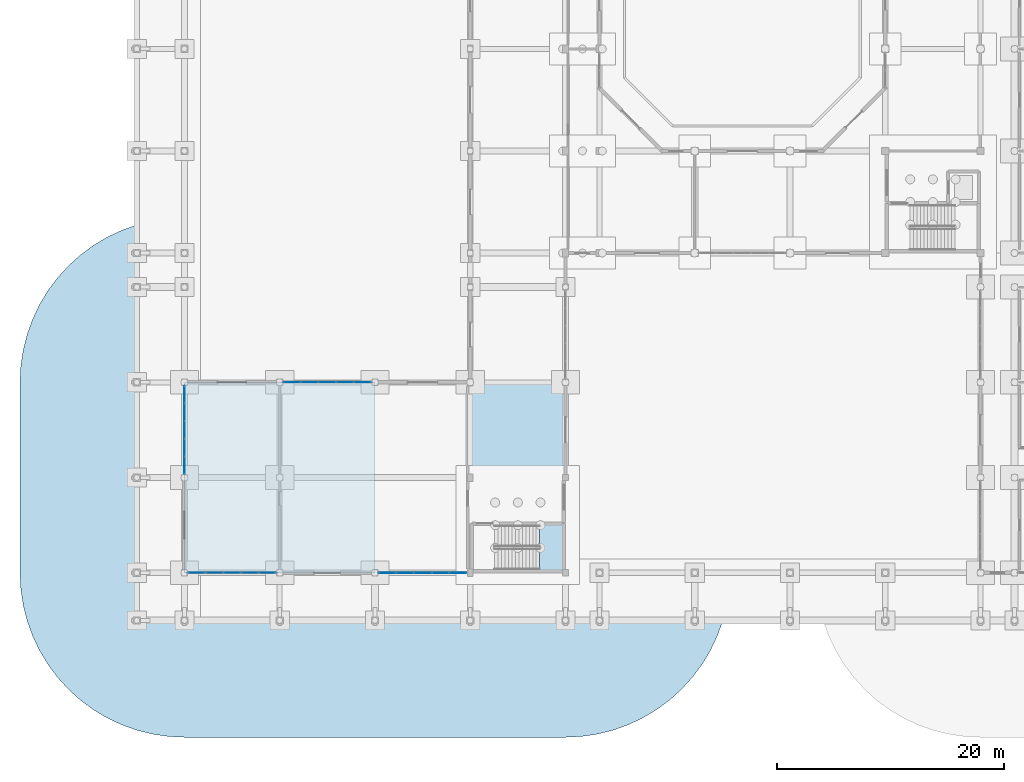
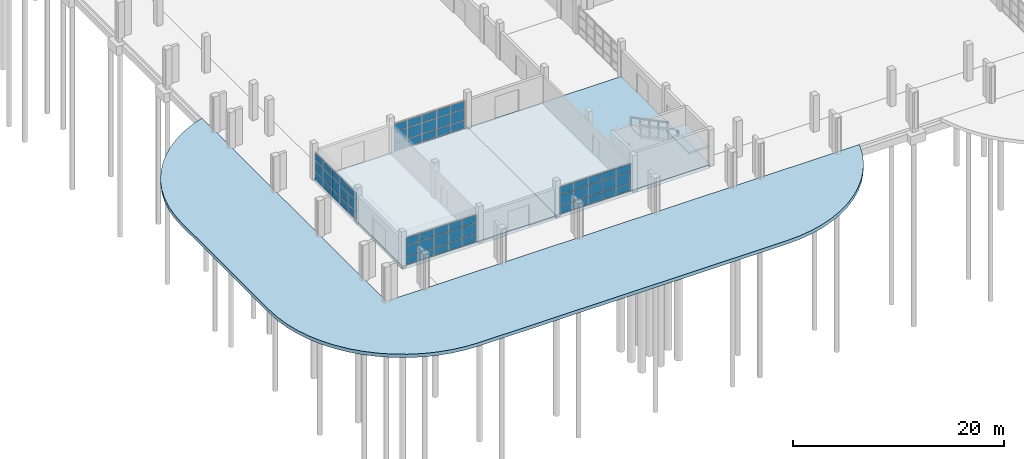
# One storey, part 41 of 88: 60 plates, 4 slabs, 5 elements without a shape of their own.
"""IFC4 building model written with IfcOpenShell, lengths in metres."""

from ifc_helpers import new_model, si_unit, direction, frame, origin, origin_2d, place, context, subcontext, project, spatial, polyline, rectangle, outline, extrude, material, layer, layer_set, type_object, element, aggregate, save


model = new_model("IFC4")

# Units and contexts
model_context = context("Model", 3, precision=1e-05, world=origin(), true_north=direction((0.0, 1.0)))
body_context = subcontext(model_context, "Body", "Model", "MODEL_VIEW")
ifc_project = project(units=[si_unit("LENGTHUNIT", "METRE"), si_unit("AREAUNIT", "SQUARE_METRE"), si_unit("VOLUMEUNIT", "CUBIC_METRE"), si_unit("PLANEANGLEUNIT", "RADIAN"), si_unit("MASSUNIT", "GRAM", prefix="KILO")], contexts=[model_context])

# Site, building, storey
site_placement = place(None, origin())
site = spatial("IfcSite", under=ifc_project, at=site_placement, CompositionType="ELEMENT")
building_placement = place(site_placement, origin())
building = spatial("IfcBuilding", under=site, at=building_placement, Name="Vanh Quang Courtyard School", CompositionType="ELEMENT")
storey_placement = place(building_placement, origin())
storey = spatial("IfcBuildingStorey", under=building, at=storey_placement, Name="L00", CompositionType="ELEMENT", Elevation=0.0)

# Curtain wall, plates
ifc_material_1 = material(Name="Thermally broken aluminium unitised curtain wall", Category="aluminium")
curtain_wall_type_1 = type_object("IfcCurtainWallType", Name="CW-SYS-01", PredefinedType="NOTDEFINED", material=ifc_material_1)
curtain_wall_1_placement = place(storey_placement, origin())
curtain_wall_1 = element("IfcCurtainWall", 1, at=curtain_wall_1_placement, inside=storey, type_object=curtain_wall_type_1, Name="Curtain Wall CW-01 (L00)", PredefinedType="NOTDEFINED")
ifc_material_2 = material(Name="Low-E laminated double glazing", Category="glass")
ifc_layer_1 = layer(ifc_material_2, 0.028076171875)
ifc_layer_set_1 = layer_set([ifc_layer_1], Name="Low-E laminated double glazing")
plate_type_1 = type_object("IfcPlateType", Name="CW-PNL-28", PredefinedType="CURTAIN_PANEL", material=ifc_layer_set_1)
plate_1_placement = place(storey_placement, frame((11.513671875, 4.199951171875, 0.080078125), z_axis=(0.0, 0.0, 1.0), x_axis=(-1.0, 0.0, 0.0)))
plate_1 = element("IfcPlate", 2, at=plate_1_placement, type_object=plate_type_1, Name="CW-01 panel 1.1", PredefinedType="CURTAIN_PANEL", context=body_context, shape_type="SweptSolid", body=[
    extrude(rectangle(XDim=1.44677734375, YDim=0.028076171875, at=origin_2d()), origin(), (0.0, 0.0, 1.0), 0.830078125),
])
plate_2_placement = place(storey_placement, frame((11.513671875, 4.199951171875, 0.990234375), z_axis=(0.0, 0.0, 1.0), x_axis=(-1.0, 0.0, 0.0)))
plate_2 = element("IfcPlate", 3, at=plate_2_placement, type_object=plate_type_1, Name="CW-01 panel 1.2", PredefinedType="CURTAIN_PANEL", context=body_context, shape_type="SweptSolid", body=[
    extrude(rectangle(XDim=1.44677734375, YDim=0.028076171875, at=origin_2d()), origin(), (0.0, 0.0, 1.0), 1.219970703125),
])
plate_3_placement = place(storey_placement, frame((11.513671875, 4.199951171875, 2.2900390625), z_axis=(0.0, 0.0, 1.0), x_axis=(-1.0, 0.0, 0.0)))
plate_3 = element("IfcPlate", 4, at=plate_3_placement, type_object=plate_type_1, Name="CW-01 panel 1.3", PredefinedType="CURTAIN_PANEL", context=body_context, shape_type="SweptSolid", body=[
    extrude(rectangle(XDim=1.44677734375, YDim=0.028076171875, at=origin_2d()), origin(), (0.0, 0.0, 1.0), 0.85009765625),
])
plate_4_placement = place(storey_placement, frame((9.966796875, 4.199951171875, 0.080078125), z_axis=(0.0, 0.0, 1.0), x_axis=(-1.0, 0.0, 0.0)))
plate_4 = element("IfcPlate", 5, at=plate_4_placement, type_object=plate_type_1, Name="CW-01 panel 2.1", PredefinedType="CURTAIN_PANEL", context=body_context, shape_type="SweptSolid", body=[
    extrude(rectangle(XDim=1.48681640625, YDim=0.028076171875, at=origin_2d()), origin(), (0.0, 0.0, 1.0), 0.830078125),
])
plate_5_placement = place(storey_placement, frame((9.966796875, 4.199951171875, 0.990234375), z_axis=(0.0, 0.0, 1.0), x_axis=(-1.0, 0.0, 0.0)))
plate_5 = element("IfcPlate", 6, at=plate_5_placement, type_object=plate_type_1, Name="CW-01 panel 2.2", PredefinedType="CURTAIN_PANEL", context=body_context, shape_type="SweptSolid", body=[
    extrude(rectangle(XDim=1.48681640625, YDim=0.028076171875, at=origin_2d()), origin(), (0.0, 0.0, 1.0), 1.219970703125),
])
plate_6_placement = place(storey_placement, frame((9.966796875, 4.199951171875, 2.2900390625), z_axis=(0.0, 0.0, 1.0), x_axis=(-1.0, 0.0, 0.0)))
plate_6 = element("IfcPlate", 7, at=plate_6_placement, type_object=plate_type_1, Name="CW-01 panel 2.3", PredefinedType="CURTAIN_PANEL", context=body_context, shape_type="SweptSolid", body=[
    extrude(rectangle(XDim=1.48681640625, YDim=0.028076171875, at=origin_2d()), origin(), (0.0, 0.0, 1.0), 0.85009765625),
])
plate_7_placement = place(storey_placement, frame((8.39990234375, 4.199951171875, 0.080078125), z_axis=(0.0, 0.0, 1.0), x_axis=(-1.0, 0.0, 0.0)))
plate_7 = element("IfcPlate", 8, at=plate_7_placement, type_object=plate_type_1, Name="CW-01 panel 3.1", PredefinedType="CURTAIN_PANEL", context=body_context, shape_type="SweptSolid", body=[
    extrude(rectangle(XDim=1.48681640625, YDim=0.028076171875, at=origin_2d()), origin(), (0.0, 0.0, 1.0), 0.830078125),
])
plate_8_placement = place(storey_placement, frame((8.39990234375, 4.199951171875, 0.990234375), z_axis=(0.0, 0.0, 1.0), x_axis=(-1.0, 0.0, 0.0)))
plate_8 = element("IfcPlate", 9, at=plate_8_placement, type_object=plate_type_1, Name="CW-01 panel 3.2", PredefinedType="CURTAIN_PANEL", context=body_context, shape_type="SweptSolid", body=[
    extrude(rectangle(XDim=1.48681640625, YDim=0.028076171875, at=origin_2d()), origin(), (0.0, 0.0, 1.0), 1.219970703125),
])
plate_9_placement = place(storey_placement, frame((8.39990234375, 4.199951171875, 2.2900390625), z_axis=(0.0, 0.0, 1.0), x_axis=(-1.0, 0.0, 0.0)))
plate_9 = element("IfcPlate", 10, at=plate_9_placement, type_object=plate_type_1, Name="CW-01 panel 3.3", PredefinedType="CURTAIN_PANEL", context=body_context, shape_type="SweptSolid", body=[
    extrude(rectangle(XDim=1.48681640625, YDim=0.028076171875, at=origin_2d()), origin(), (0.0, 0.0, 1.0), 0.85009765625),
])
plate_10_placement = place(storey_placement, frame((6.833251953125, 4.199951171875, 0.080078125), z_axis=(0.0, 0.0, 1.0), x_axis=(-1.0, 0.0, 0.0)))
plate_10 = element("IfcPlate", 11, at=plate_10_placement, type_object=plate_type_1, Name="CW-01 panel 4.1", PredefinedType="CURTAIN_PANEL", context=body_context, shape_type="SweptSolid", body=[
    extrude(rectangle(XDim=1.48681640625, YDim=0.028076171875, at=origin_2d()), origin(), (0.0, 0.0, 1.0), 0.830078125),
])
plate_11_placement = place(storey_placement, frame((6.833251953125, 4.199951171875, 0.990234375), z_axis=(0.0, 0.0, 1.0), x_axis=(-1.0, 0.0, 0.0)))
plate_11 = element("IfcPlate", 12, at=plate_11_placement, type_object=plate_type_1, Name="CW-01 panel 4.2", PredefinedType="CURTAIN_PANEL", context=body_context, shape_type="SweptSolid", body=[
    extrude(rectangle(XDim=1.48681640625, YDim=0.028076171875, at=origin_2d()), origin(), (0.0, 0.0, 1.0), 1.219970703125),
])
plate_12_placement = place(storey_placement, frame((6.833251953125, 4.199951171875, 2.2900390625), z_axis=(0.0, 0.0, 1.0), x_axis=(-1.0, 0.0, 0.0)))
plate_12 = element("IfcPlate", 13, at=plate_12_placement, type_object=plate_type_1, Name="CW-01 panel 4.3", PredefinedType="CURTAIN_PANEL", context=body_context, shape_type="SweptSolid", body=[
    extrude(rectangle(XDim=1.48681640625, YDim=0.028076171875, at=origin_2d()), origin(), (0.0, 0.0, 1.0), 0.85009765625),
])
plate_13_placement = place(storey_placement, frame((5.286376953125, 4.199951171875, 0.080078125), z_axis=(0.0, 0.0, 1.0), x_axis=(-1.0, 0.0, 0.0)))
plate_13 = element("IfcPlate", 14, at=plate_13_placement, type_object=plate_type_1, Name="CW-01 panel 5.1", PredefinedType="CURTAIN_PANEL", context=body_context, shape_type="SweptSolid", body=[
    extrude(rectangle(XDim=1.44677734375, YDim=0.028076171875, at=origin_2d()), origin(), (0.0, 0.0, 1.0), 0.830078125),
])
plate_14_placement = place(storey_placement, frame((5.286376953125, 4.199951171875, 0.990234375), z_axis=(0.0, 0.0, 1.0), x_axis=(-1.0, 0.0, 0.0)))
plate_14 = element("IfcPlate", 15, at=plate_14_placement, type_object=plate_type_1, Name="CW-01 panel 5.2", PredefinedType="CURTAIN_PANEL", context=body_context, shape_type="SweptSolid", body=[
    extrude(rectangle(XDim=1.44677734375, YDim=0.028076171875, at=origin_2d()), origin(), (0.0, 0.0, 1.0), 1.219970703125),
])
plate_15_placement = place(storey_placement, frame((5.286376953125, 4.199951171875, 2.2900390625), z_axis=(0.0, 0.0, 1.0), x_axis=(-1.0, 0.0, 0.0)))
plate_15 = element("IfcPlate", 16, at=plate_15_placement, type_object=plate_type_1, Name="CW-01 panel 5.3", PredefinedType="CURTAIN_PANEL", context=body_context, shape_type="SweptSolid", body=[
    extrude(rectangle(XDim=1.44677734375, YDim=0.028076171875, at=origin_2d()), origin(), (0.0, 0.0, 1.0), 0.85009765625),
])
aggregate(curtain_wall_1, [plate_1, plate_2, plate_3, plate_4, plate_5, plate_6, plate_7, plate_8, plate_9, plate_10, plate_11, plate_12, plate_13, plate_14, plate_15])

curtain_wall_2_placement = place(storey_placement, origin())
curtain_wall_2 = element("IfcCurtainWall", 17, at=curtain_wall_2_placement, inside=storey, type_object=curtain_wall_type_1, Name="Curtain Wall CW-01 (L00)", PredefinedType="NOTDEFINED")
plate_16_placement = place(storey_placement, frame((13.683837890625, 21.0, 0.06982421875), z_axis=(0.0, 0.0, 1.0), x_axis=(1.0, 0.0, 0.0)))
plate_16 = element("IfcPlate", 18, at=plate_16_placement, type_object=plate_type_1, Name="CW-01 panel 1.1", PredefinedType="CURTAIN_PANEL", context=body_context, shape_type="SweptSolid", body=[
    extrude(rectangle(XDim=1.4619140625, YDim=0.028076171875, at=origin_2d()), origin(), (0.0, 0.0, 1.0), 0.844970703125),
])
plate_17_placement = place(storey_placement, frame((13.683837890625, 21.0, 0.985107421875), z_axis=(0.0, 0.0, 1.0), x_axis=(1.0, 0.0, 0.0)))
plate_17 = element("IfcPlate", 19, at=plate_17_placement, type_object=plate_type_1, Name="CW-01 panel 1.2", PredefinedType="CURTAIN_PANEL", context=body_context, shape_type="SweptSolid", body=[
    extrude(rectangle(XDim=1.4619140625, YDim=0.028076171875, at=origin_2d()), origin(), (0.0, 0.0, 1.0), 1.22998046875),
])
plate_18_placement = place(storey_placement, frame((13.683837890625, 21.0, 2.28515625), z_axis=(0.0, 0.0, 1.0), x_axis=(1.0, 0.0, 0.0)))
plate_18 = element("IfcPlate", 20, at=plate_18_placement, type_object=plate_type_1, Name="CW-01 panel 1.3", PredefinedType="CURTAIN_PANEL", context=body_context, shape_type="SweptSolid", body=[
    extrude(rectangle(XDim=1.4619140625, YDim=0.028076171875, at=origin_2d()), origin(), (0.0, 0.0, 1.0), 0.864990234375),
])
plate_19_placement = place(storey_placement, frame((15.233154296875, 21.0, 0.06982421875), z_axis=(0.0, 0.0, 1.0), x_axis=(1.0, 0.0, 0.0)))
plate_19 = element("IfcPlate", 21, at=plate_19_placement, type_object=plate_type_1, Name="CW-01 panel 2.1", PredefinedType="CURTAIN_PANEL", context=body_context, shape_type="SweptSolid", body=[
    extrude(rectangle(XDim=1.496826171875, YDim=0.028076171875, at=origin_2d()), origin(), (0.0, 0.0, 1.0), 0.844970703125),
])
plate_20_placement = place(storey_placement, frame((15.233154296875, 21.0, 0.985107421875), z_axis=(0.0, 0.0, 1.0), x_axis=(1.0, 0.0, 0.0)))
plate_20 = element("IfcPlate", 22, at=plate_20_placement, type_object=plate_type_1, Name="CW-01 panel 2.2", PredefinedType="CURTAIN_PANEL", context=body_context, shape_type="SweptSolid", body=[
    extrude(rectangle(XDim=1.496826171875, YDim=0.028076171875, at=origin_2d()), origin(), (0.0, 0.0, 1.0), 1.22998046875),
])
plate_21_placement = place(storey_placement, frame((15.233154296875, 21.0, 2.28515625), z_axis=(0.0, 0.0, 1.0), x_axis=(1.0, 0.0, 0.0)))
plate_21 = element("IfcPlate", 23, at=plate_21_placement, type_object=plate_type_1, Name="CW-01 panel 2.3", PredefinedType="CURTAIN_PANEL", context=body_context, shape_type="SweptSolid", body=[
    extrude(rectangle(XDim=1.496826171875, YDim=0.028076171875, at=origin_2d()), origin(), (0.0, 0.0, 1.0), 0.864990234375),
])
plate_22_placement = place(storey_placement, frame((16.800048828125, 21.0, 0.06982421875), z_axis=(0.0, 0.0, 1.0), x_axis=(1.0, 0.0, 0.0)))
plate_22 = element("IfcPlate", 24, at=plate_22_placement, type_object=plate_type_1, Name="CW-01 panel 3.1", PredefinedType="CURTAIN_PANEL", context=body_context, shape_type="SweptSolid", body=[
    extrude(rectangle(XDim=1.496826171875, YDim=0.028076171875, at=origin_2d()), origin(), (0.0, 0.0, 1.0), 0.844970703125),
])
plate_23_placement = place(storey_placement, frame((16.800048828125, 21.0, 0.985107421875), z_axis=(0.0, 0.0, 1.0), x_axis=(1.0, 0.0, 0.0)))
plate_23 = element("IfcPlate", 25, at=plate_23_placement, type_object=plate_type_1, Name="CW-01 panel 3.2", PredefinedType="CURTAIN_PANEL", context=body_context, shape_type="SweptSolid", body=[
    extrude(rectangle(XDim=1.496826171875, YDim=0.028076171875, at=origin_2d()), origin(), (0.0, 0.0, 1.0), 1.22998046875),
])
plate_24_placement = place(storey_placement, frame((16.800048828125, 21.0, 2.28515625), z_axis=(0.0, 0.0, 1.0), x_axis=(1.0, 0.0, 0.0)))
plate_24 = element("IfcPlate", 26, at=plate_24_placement, type_object=plate_type_1, Name="CW-01 panel 3.3", PredefinedType="CURTAIN_PANEL", context=body_context, shape_type="SweptSolid", body=[
    extrude(rectangle(XDim=1.496826171875, YDim=0.028076171875, at=origin_2d()), origin(), (0.0, 0.0, 1.0), 0.864990234375),
])
plate_25_placement = place(storey_placement, frame((18.36669921875, 21.0, 0.06982421875), z_axis=(0.0, 0.0, 1.0), x_axis=(1.0, 0.0, 0.0)))
plate_25 = element("IfcPlate", 27, at=plate_25_placement, type_object=plate_type_1, Name="CW-01 panel 4.1", PredefinedType="CURTAIN_PANEL", context=body_context, shape_type="SweptSolid", body=[
    extrude(rectangle(XDim=1.496826171875, YDim=0.028076171875, at=origin_2d()), origin(), (0.0, 0.0, 1.0), 0.844970703125),
])
plate_26_placement = place(storey_placement, frame((18.36669921875, 21.0, 0.985107421875), z_axis=(0.0, 0.0, 1.0), x_axis=(1.0, 0.0, 0.0)))
plate_26 = element("IfcPlate", 28, at=plate_26_placement, type_object=plate_type_1, Name="CW-01 panel 4.2", PredefinedType="CURTAIN_PANEL", context=body_context, shape_type="SweptSolid", body=[
    extrude(rectangle(XDim=1.496826171875, YDim=0.028076171875, at=origin_2d()), origin(), (0.0, 0.0, 1.0), 1.22998046875),
])
plate_27_placement = place(storey_placement, frame((18.36669921875, 21.0, 2.28515625), z_axis=(0.0, 0.0, 1.0), x_axis=(1.0, 0.0, 0.0)))
plate_27 = element("IfcPlate", 29, at=plate_27_placement, type_object=plate_type_1, Name="CW-01 panel 4.3", PredefinedType="CURTAIN_PANEL", context=body_context, shape_type="SweptSolid", body=[
    extrude(rectangle(XDim=1.496826171875, YDim=0.028076171875, at=origin_2d()), origin(), (0.0, 0.0, 1.0), 0.864990234375),
])
plate_28_placement = place(storey_placement, frame((19.916015625, 21.0, 0.06982421875), z_axis=(0.0, 0.0, 1.0), x_axis=(1.0, 0.0, 0.0)))
plate_28 = element("IfcPlate", 30, at=plate_28_placement, type_object=plate_type_1, Name="CW-01 panel 5.1", PredefinedType="CURTAIN_PANEL", context=body_context, shape_type="SweptSolid", body=[
    extrude(rectangle(XDim=1.4619140625, YDim=0.028076171875, at=origin_2d()), origin(), (0.0, 0.0, 1.0), 0.844970703125),
])
plate_29_placement = place(storey_placement, frame((19.916015625, 21.0, 0.985107421875), z_axis=(0.0, 0.0, 1.0), x_axis=(1.0, 0.0, 0.0)))
plate_29 = element("IfcPlate", 31, at=plate_29_placement, type_object=plate_type_1, Name="CW-01 panel 5.2", PredefinedType="CURTAIN_PANEL", context=body_context, shape_type="SweptSolid", body=[
    extrude(rectangle(XDim=1.4619140625, YDim=0.028076171875, at=origin_2d()), origin(), (0.0, 0.0, 1.0), 1.22998046875),
])
plate_30_placement = place(storey_placement, frame((19.916015625, 21.0, 2.28515625), z_axis=(0.0, 0.0, 1.0), x_axis=(1.0, 0.0, 0.0)))
plate_30 = element("IfcPlate", 32, at=plate_30_placement, type_object=plate_type_1, Name="CW-01 panel 5.3", PredefinedType="CURTAIN_PANEL", context=body_context, shape_type="SweptSolid", body=[
    extrude(rectangle(XDim=1.4619140625, YDim=0.028076171875, at=origin_2d()), origin(), (0.0, 0.0, 1.0), 0.864990234375),
])
aggregate(curtain_wall_2, [plate_16, plate_17, plate_18, plate_19, plate_20, plate_21, plate_22, plate_23, plate_24, plate_25, plate_26, plate_27, plate_28, plate_29, plate_30])

curtain_wall_type_2 = type_object("IfcCurtainWallType", Name="CW-SYS-08", PredefinedType="NOTDEFINED", material=ifc_material_1)
curtain_wall_3_placement = place(storey_placement, origin())
curtain_wall_3 = element("IfcCurtainWall", 33, at=curtain_wall_3_placement, inside=storey, type_object=curtain_wall_type_2, Name="Curtain Wall CW-08 (L00)", PredefinedType="NOTDEFINED")
ifc_layer_2 = layer(ifc_material_2, 0.031982421875)
ifc_layer_set_2 = layer_set([ifc_layer_2], Name="Low-E laminated double glazing")
plate_type_2 = type_object("IfcPlateType", Name="CW-PNL-32", PredefinedType="CURTAIN_PANEL", material=ifc_layer_set_2)
plate_31_placement = place(storey_placement, frame((28.338623046875, 4.199951171875, 0.06982421875), z_axis=(0.0, 0.0, 1.0), x_axis=(-1.0, 0.0, 0.0)))
plate_31 = element("IfcPlate", 34, at=plate_31_placement, type_object=plate_type_2, Name="CW-08 panel 1.1", PredefinedType="CURTAIN_PANEL", context=body_context, shape_type="SweptSolid", body=[
    extrude(rectangle(XDim=1.466796875, YDim=0.031982421875, at=origin_2d()), origin(), (0.0, 0.0, 1.0), 0.844970703125),
])
plate_32_placement = place(storey_placement, frame((28.338623046875, 4.199951171875, 0.985107421875), z_axis=(0.0, 0.0, 1.0), x_axis=(-1.0, 0.0, 0.0)))
plate_32 = element("IfcPlate", 35, at=plate_32_placement, type_object=plate_type_2, Name="CW-08 panel 1.2", PredefinedType="CURTAIN_PANEL", context=body_context, shape_type="SweptSolid", body=[
    extrude(rectangle(XDim=1.466796875, YDim=0.031982421875, at=origin_2d()), origin(), (0.0, 0.0, 1.0), 1.22998046875),
])
plate_33_placement = place(storey_placement, frame((28.338623046875, 4.199951171875, 2.28515625), z_axis=(0.0, 0.0, 1.0), x_axis=(-1.0, 0.0, 0.0)))
plate_33 = element("IfcPlate", 36, at=plate_33_placement, type_object=plate_type_2, Name="CW-08 panel 1.3", PredefinedType="CURTAIN_PANEL", context=body_context, shape_type="SweptSolid", body=[
    extrude(rectangle(XDim=1.466796875, YDim=0.031982421875, at=origin_2d()), origin(), (0.0, 0.0, 1.0), 0.864990234375),
])
plate_34_placement = place(storey_placement, frame((26.7841796875, 4.199951171875, 0.06982421875), z_axis=(0.0, 0.0, 1.0), x_axis=(-1.0, 0.0, 0.0)))
plate_34 = element("IfcPlate", 37, at=plate_34_placement, type_object=plate_type_2, Name="CW-08 panel 2.1", PredefinedType="CURTAIN_PANEL", context=body_context, shape_type="SweptSolid", body=[
    extrude(rectangle(XDim=1.501708984375, YDim=0.031982421875, at=origin_2d()), origin(), (0.0, 0.0, 1.0), 0.844970703125),
])
plate_35_placement = place(storey_placement, frame((26.7841796875, 4.199951171875, 0.985107421875), z_axis=(0.0, 0.0, 1.0), x_axis=(-1.0, 0.0, 0.0)))
plate_35 = element("IfcPlate", 38, at=plate_35_placement, type_object=plate_type_2, Name="CW-08 panel 2.2", PredefinedType="CURTAIN_PANEL", context=body_context, shape_type="SweptSolid", body=[
    extrude(rectangle(XDim=1.501708984375, YDim=0.031982421875, at=origin_2d()), origin(), (0.0, 0.0, 1.0), 1.22998046875),
])
plate_36_placement = place(storey_placement, frame((26.7841796875, 4.199951171875, 2.28515625), z_axis=(0.0, 0.0, 1.0), x_axis=(-1.0, 0.0, 0.0)))
plate_36 = element("IfcPlate", 39, at=plate_36_placement, type_object=plate_type_2, Name="CW-08 panel 2.3", PredefinedType="CURTAIN_PANEL", context=body_context, shape_type="SweptSolid", body=[
    extrude(rectangle(XDim=1.501708984375, YDim=0.031982421875, at=origin_2d()), origin(), (0.0, 0.0, 1.0), 0.864990234375),
])
plate_37_placement = place(storey_placement, frame((25.21240234375, 4.199951171875, 0.06982421875), z_axis=(0.0, 0.0, 1.0), x_axis=(-1.0, 0.0, 0.0)))
plate_37 = element("IfcPlate", 40, at=plate_37_placement, type_object=plate_type_2, Name="CW-08 panel 3.1", PredefinedType="CURTAIN_PANEL", context=body_context, shape_type="SweptSolid", body=[
    extrude(rectangle(XDim=1.501708984375, YDim=0.031982421875, at=origin_2d()), origin(), (0.0, 0.0, 1.0), 0.844970703125),
])
plate_38_placement = place(storey_placement, frame((25.21240234375, 4.199951171875, 0.985107421875), z_axis=(0.0, 0.0, 1.0), x_axis=(-1.0, 0.0, 0.0)))
plate_38 = element("IfcPlate", 41, at=plate_38_placement, type_object=plate_type_2, Name="CW-08 panel 3.2", PredefinedType="CURTAIN_PANEL", context=body_context, shape_type="SweptSolid", body=[
    extrude(rectangle(XDim=1.501708984375, YDim=0.031982421875, at=origin_2d()), origin(), (0.0, 0.0, 1.0), 1.22998046875),
])
plate_39_placement = place(storey_placement, frame((25.21240234375, 4.199951171875, 2.28515625), z_axis=(0.0, 0.0, 1.0), x_axis=(-1.0, 0.0, 0.0)))
plate_39 = element("IfcPlate", 42, at=plate_39_placement, type_object=plate_type_2, Name="CW-08 panel 3.3", PredefinedType="CURTAIN_PANEL", context=body_context, shape_type="SweptSolid", body=[
    extrude(rectangle(XDim=1.501708984375, YDim=0.031982421875, at=origin_2d()), origin(), (0.0, 0.0, 1.0), 0.864990234375),
])
plate_40_placement = place(storey_placement, frame((23.640625, 4.199951171875, 0.06982421875), z_axis=(0.0, 0.0, 1.0), x_axis=(-1.0, 0.0, 0.0)))
plate_40 = element("IfcPlate", 43, at=plate_40_placement, type_object=plate_type_2, Name="CW-08 panel 4.1", PredefinedType="CURTAIN_PANEL", context=body_context, shape_type="SweptSolid", body=[
    extrude(rectangle(XDim=1.501708984375, YDim=0.031982421875, at=origin_2d()), origin(), (0.0, 0.0, 1.0), 0.844970703125),
])
plate_41_placement = place(storey_placement, frame((23.640625, 4.199951171875, 0.985107421875), z_axis=(0.0, 0.0, 1.0), x_axis=(-1.0, 0.0, 0.0)))
plate_41 = element("IfcPlate", 44, at=plate_41_placement, type_object=plate_type_2, Name="CW-08 panel 4.2", PredefinedType="CURTAIN_PANEL", context=body_context, shape_type="SweptSolid", body=[
    extrude(rectangle(XDim=1.501708984375, YDim=0.031982421875, at=origin_2d()), origin(), (0.0, 0.0, 1.0), 1.22998046875),
])
plate_42_placement = place(storey_placement, frame((23.640625, 4.199951171875, 2.28515625), z_axis=(0.0, 0.0, 1.0), x_axis=(-1.0, 0.0, 0.0)))
plate_42 = element("IfcPlate", 45, at=plate_42_placement, type_object=plate_type_2, Name="CW-08 panel 4.3", PredefinedType="CURTAIN_PANEL", context=body_context, shape_type="SweptSolid", body=[
    extrude(rectangle(XDim=1.501708984375, YDim=0.031982421875, at=origin_2d()), origin(), (0.0, 0.0, 1.0), 0.864990234375),
])
plate_43_placement = place(storey_placement, frame((22.08642578125, 4.199951171875, 0.06982421875), z_axis=(0.0, 0.0, 1.0), x_axis=(-1.0, 0.0, 0.0)))
plate_43 = element("IfcPlate", 46, at=plate_43_placement, type_object=plate_type_2, Name="CW-08 panel 5.1", PredefinedType="CURTAIN_PANEL", context=body_context, shape_type="SweptSolid", body=[
    extrude(rectangle(XDim=1.466796875, YDim=0.031982421875, at=origin_2d()), origin(), (0.0, 0.0, 1.0), 0.844970703125),
])
plate_44_placement = place(storey_placement, frame((22.08642578125, 4.199951171875, 0.985107421875), z_axis=(0.0, 0.0, 1.0), x_axis=(-1.0, 0.0, 0.0)))
plate_44 = element("IfcPlate", 47, at=plate_44_placement, type_object=plate_type_2, Name="CW-08 panel 5.2", PredefinedType="CURTAIN_PANEL", context=body_context, shape_type="SweptSolid", body=[
    extrude(rectangle(XDim=1.466796875, YDim=0.031982421875, at=origin_2d()), origin(), (0.0, 0.0, 1.0), 1.22998046875),
])
plate_45_placement = place(storey_placement, frame((22.08642578125, 4.199951171875, 2.28515625), z_axis=(0.0, 0.0, 1.0), x_axis=(-1.0, 0.0, 0.0)))
plate_45 = element("IfcPlate", 48, at=plate_45_placement, type_object=plate_type_2, Name="CW-08 panel 5.3", PredefinedType="CURTAIN_PANEL", context=body_context, shape_type="SweptSolid", body=[
    extrude(rectangle(XDim=1.466796875, YDim=0.031982421875, at=origin_2d()), origin(), (0.0, 0.0, 1.0), 0.864990234375),
])
aggregate(curtain_wall_3, [plate_31, plate_32, plate_33, plate_34, plate_35, plate_36, plate_37, plate_38, plate_39, plate_40, plate_41, plate_42, plate_43, plate_44, plate_45])

curtain_wall_4_placement = place(storey_placement, origin())
curtain_wall_4 = element("IfcCurtainWall", 49, at=curtain_wall_4_placement, inside=storey, type_object=curtain_wall_type_1, Name="Curtain Wall CW-01 (L00)", PredefinedType="NOTDEFINED")
plate_46_placement = place(storey_placement, frame((4.199951171875, 13.681396484375, 0.06005859375), z_axis=(0.0, 0.0, 1.0), x_axis=(0.0, 1.0, 0.0)))
plate_46 = element("IfcPlate", 50, at=plate_46_placement, type_object=plate_type_2, Name="CW-01 panel 1.1", PredefinedType="CURTAIN_PANEL", context=body_context, shape_type="SweptSolid", body=[
    extrude(rectangle(XDim=1.476806640625, YDim=0.031982421875, at=origin_2d()), origin(), (0.0, 0.0, 1.0), 0.860107421875),
])
plate_47_placement = place(storey_placement, frame((4.199951171875, 13.681396484375, 0.97998046875), z_axis=(0.0, 0.0, 1.0), x_axis=(0.0, 1.0, 0.0)))
plate_47 = element("IfcPlate", 51, at=plate_47_placement, type_object=plate_type_2, Name="CW-01 panel 1.2", PredefinedType="CURTAIN_PANEL", context=body_context, shape_type="SweptSolid", body=[
    extrude(rectangle(XDim=1.476806640625, YDim=0.031982421875, at=origin_2d()), origin(), (0.0, 0.0, 1.0), 1.239990234375),
])
plate_48_placement = place(storey_placement, frame((4.199951171875, 13.681396484375, 2.280029296875), z_axis=(0.0, 0.0, 1.0), x_axis=(0.0, 1.0, 0.0)))
plate_48 = element("IfcPlate", 52, at=plate_48_placement, type_object=plate_type_2, Name="CW-01 panel 1.3", PredefinedType="CURTAIN_PANEL", context=body_context, shape_type="SweptSolid", body=[
    extrude(rectangle(XDim=1.476806640625, YDim=0.031982421875, at=origin_2d()), origin(), (0.0, 0.0, 1.0), 0.8798828125),
])
plate_49_placement = place(storey_placement, frame((4.199951171875, 15.233154296875, 0.06005859375), z_axis=(0.0, 0.0, 1.0), x_axis=(0.0, 1.0, 0.0)))
plate_49 = element("IfcPlate", 53, at=plate_49_placement, type_object=plate_type_2, Name="CW-01 panel 2.1", PredefinedType="CURTAIN_PANEL", context=body_context, shape_type="SweptSolid", body=[
    extrude(rectangle(XDim=1.5068359375, YDim=0.031982421875, at=origin_2d()), origin(), (0.0, 0.0, 1.0), 0.860107421875),
])
plate_50_placement = place(storey_placement, frame((4.199951171875, 15.233154296875, 0.97998046875), z_axis=(0.0, 0.0, 1.0), x_axis=(0.0, 1.0, 0.0)))
plate_50 = element("IfcPlate", 54, at=plate_50_placement, type_object=plate_type_2, Name="CW-01 panel 2.2", PredefinedType="CURTAIN_PANEL", context=body_context, shape_type="SweptSolid", body=[
    extrude(rectangle(XDim=1.5068359375, YDim=0.031982421875, at=origin_2d()), origin(), (0.0, 0.0, 1.0), 1.239990234375),
])
plate_51_placement = place(storey_placement, frame((4.199951171875, 15.233154296875, 2.280029296875), z_axis=(0.0, 0.0, 1.0), x_axis=(0.0, 1.0, 0.0)))
plate_51 = element("IfcPlate", 55, at=plate_51_placement, type_object=plate_type_2, Name="CW-01 panel 2.3", PredefinedType="CURTAIN_PANEL", context=body_context, shape_type="SweptSolid", body=[
    extrude(rectangle(XDim=1.5068359375, YDim=0.031982421875, at=origin_2d()), origin(), (0.0, 0.0, 1.0), 0.8798828125),
])
plate_52_placement = place(storey_placement, frame((4.199951171875, 16.800048828125, 0.06005859375), z_axis=(0.0, 0.0, 1.0), x_axis=(0.0, 1.0, 0.0)))
plate_52 = element("IfcPlate", 56, at=plate_52_placement, type_object=plate_type_2, Name="CW-01 panel 3.1", PredefinedType="CURTAIN_PANEL", context=body_context, shape_type="SweptSolid", body=[
    extrude(rectangle(XDim=1.5068359375, YDim=0.031982421875, at=origin_2d()), origin(), (0.0, 0.0, 1.0), 0.860107421875),
])
plate_53_placement = place(storey_placement, frame((4.199951171875, 16.800048828125, 0.97998046875), z_axis=(0.0, 0.0, 1.0), x_axis=(0.0, 1.0, 0.0)))
plate_53 = element("IfcPlate", 57, at=plate_53_placement, type_object=plate_type_2, Name="CW-01 panel 3.2", PredefinedType="CURTAIN_PANEL", context=body_context, shape_type="SweptSolid", body=[
    extrude(rectangle(XDim=1.5068359375, YDim=0.031982421875, at=origin_2d()), origin(), (0.0, 0.0, 1.0), 1.239990234375),
])
plate_54_placement = place(storey_placement, frame((4.199951171875, 16.800048828125, 2.280029296875), z_axis=(0.0, 0.0, 1.0), x_axis=(0.0, 1.0, 0.0)))
plate_54 = element("IfcPlate", 58, at=plate_54_placement, type_object=plate_type_2, Name="CW-01 panel 3.3", PredefinedType="CURTAIN_PANEL", context=body_context, shape_type="SweptSolid", body=[
    extrude(rectangle(XDim=1.5068359375, YDim=0.031982421875, at=origin_2d()), origin(), (0.0, 0.0, 1.0), 0.8798828125),
])
plate_55_placement = place(storey_placement, frame((4.199951171875, 18.36669921875, 0.06005859375), z_axis=(0.0, 0.0, 1.0), x_axis=(0.0, 1.0, 0.0)))
plate_55 = element("IfcPlate", 59, at=plate_55_placement, type_object=plate_type_2, Name="CW-01 panel 4.1", PredefinedType="CURTAIN_PANEL", context=body_context, shape_type="SweptSolid", body=[
    extrude(rectangle(XDim=1.5068359375, YDim=0.031982421875, at=origin_2d()), origin(), (0.0, 0.0, 1.0), 0.860107421875),
])
plate_56_placement = place(storey_placement, frame((4.199951171875, 18.36669921875, 0.97998046875), z_axis=(0.0, 0.0, 1.0), x_axis=(0.0, 1.0, 0.0)))
plate_56 = element("IfcPlate", 60, at=plate_56_placement, type_object=plate_type_2, Name="CW-01 panel 4.2", PredefinedType="CURTAIN_PANEL", context=body_context, shape_type="SweptSolid", body=[
    extrude(rectangle(XDim=1.5068359375, YDim=0.031982421875, at=origin_2d()), origin(), (0.0, 0.0, 1.0), 1.239990234375),
])
plate_57_placement = place(storey_placement, frame((4.199951171875, 18.36669921875, 2.280029296875), z_axis=(0.0, 0.0, 1.0), x_axis=(0.0, 1.0, 0.0)))
plate_57 = element("IfcPlate", 61, at=plate_57_placement, type_object=plate_type_2, Name="CW-01 panel 4.3", PredefinedType="CURTAIN_PANEL", context=body_context, shape_type="SweptSolid", body=[
    extrude(rectangle(XDim=1.5068359375, YDim=0.031982421875, at=origin_2d()), origin(), (0.0, 0.0, 1.0), 0.8798828125),
])
plate_58_placement = place(storey_placement, frame((4.199951171875, 19.918701171875, 0.06005859375), z_axis=(0.0, 0.0, 1.0), x_axis=(0.0, 1.0, 0.0)))
plate_58 = element("IfcPlate", 62, at=plate_58_placement, type_object=plate_type_2, Name="CW-01 panel 5.1", PredefinedType="CURTAIN_PANEL", context=body_context, shape_type="SweptSolid", body=[
    extrude(rectangle(XDim=1.476806640625, YDim=0.031982421875, at=origin_2d()), origin(), (0.0, 0.0, 1.0), 0.860107421875),
])
plate_59_placement = place(storey_placement, frame((4.199951171875, 19.918701171875, 0.97998046875), z_axis=(0.0, 0.0, 1.0), x_axis=(0.0, 1.0, 0.0)))
plate_59 = element("IfcPlate", 63, at=plate_59_placement, type_object=plate_type_2, Name="CW-01 panel 5.2", PredefinedType="CURTAIN_PANEL", context=body_context, shape_type="SweptSolid", body=[
    extrude(rectangle(XDim=1.476806640625, YDim=0.031982421875, at=origin_2d()), origin(), (0.0, 0.0, 1.0), 1.239990234375),
])
plate_60_placement = place(storey_placement, frame((4.199951171875, 19.918701171875, 2.280029296875), z_axis=(0.0, 0.0, 1.0), x_axis=(0.0, 1.0, 0.0)))
plate_60 = element("IfcPlate", 64, at=plate_60_placement, type_object=plate_type_2, Name="CW-01 panel 5.3", PredefinedType="CURTAIN_PANEL", context=body_context, shape_type="SweptSolid", body=[
    extrude(rectangle(XDim=1.476806640625, YDim=0.031982421875, at=origin_2d()), origin(), (0.0, 0.0, 1.0), 0.8798828125),
])
aggregate(curtain_wall_4, [plate_46, plate_47, plate_48, plate_49, plate_50, plate_51, plate_52, plate_53, plate_54, plate_55, plate_56, plate_57, plate_58, plate_59, plate_60])

# Slabs
ifc_material_3 = material(Name="Concrete C30/37", Category="concrete")
ifc_layer_3 = layer(ifc_material_3, 0.39990234375)
ifc_layer_set_3 = layer_set([ifc_layer_3], Name="Concrete C30/37")
slab_type_1 = type_object("IfcSlabType", Name="SLB-APRON-400", PredefinedType="BASESLAB", material=ifc_layer_set_3)
slab_1_placement = place(storey_placement, frame((0.0, 0.0, -0.39990234375)))
element("IfcSlab", 65, at=slab_1_placement, inside=storey, type_object=slab_type_1, Name="Slab APR-01 (L00)", PredefinedType="BASESLAB", context=body_context, shape_type="SweptSolid", body=[
    extrude(outline(polyline([(0.0, 0.0), (0.0, 34.8779296875), (-1.348876953125, 34.396240234375), (-2.63525390625, 33.787841796875), (-3.855712890625, 33.056396484375), (-4.998779296875, 32.208740234375), (-6.052978515625, 31.2529296875), (-7.0087890625, 30.19873046875), (-7.856201171875, 29.055908203125), (-8.587890625, 27.835205078125), (-9.1962890625, 26.548828125), (-9.675537109375, 25.208984375), (-10.021484375, 23.828857421875), (-10.230224609375, 22.421142578125), (-10.300048828125, 21.0), (-10.300048828125, 4.199951171875), (-10.230224609375, 2.77880859375), (-10.021484375, 1.37109375), (-9.675537109375, -0.009033203125), (-9.1962890625, -1.348876953125), (-8.587890625, -2.63525390625), (-7.856201171875, -3.855712890625), (-7.0087890625, -4.998779296875), (-6.052978515625, -6.052978515625), (-4.998779296875, -7.0087890625), (-3.855712890625, -7.856201171875), (-2.63525390625, -8.587890625), (-1.348876953125, -9.1962890625), (-0.009033203125, -9.675537109375), (1.37109375, -10.021484375), (2.77880859375, -10.230224609375), (4.199951171875, -10.300048828125), (37.800048828125, -10.300048828125), (39.22119140625, -10.230224609375), (40.62890625, -10.021484375), (42.009033203125, -9.675537109375), (43.348876953125, -9.1962890625), (44.63525390625, -8.587890625), (45.855712890625, -7.856201171875), (46.998779296875, -7.0087890625), (48.052978515625, -6.052978515625), (49.0087890625, -4.998779296875), (49.856201171875, -3.855712890625), (50.587890625, -2.63525390625), (51.1962890625, -1.348876953125), (51.677978515625, 0.0), (0.0, 0.0)])), origin(), (0.0, 0.0, 1.0), 0.39990234375),
])
ifc_layer_4 = layer(ifc_material_3, 0.39990234375)
ifc_layer_set_4 = layer_set([ifc_layer_4], Name="Concrete C30/37")
slab_type_2 = type_object("IfcSlabType", Name="SLB-BASE-400", PredefinedType="BASESLAB", material=ifc_layer_set_4)
slab_2_placement = place(storey_placement, frame((0.0, 0.0, -0.39990234375)))
element("IfcSlab", 66, at=slab_2_placement, inside=storey, type_object=slab_type_2, Name="Slab BSL-01 (L00)", PredefinedType="BASESLAB", context=body_context, shape_type="SweptSolid", body=[
    extrude(outline(polyline([(21.0, 4.199951171875), (21.0, 21.0), (4.199951171875, 21.0), (4.199951171875, 4.199951171875), (21.0, 4.199951171875)])), origin(), (0.0, 0.0, 1.0), 0.39990234375),
])
slab_3_placement = place(storey_placement, frame((0.0, 0.0, -0.39990234375)))
element("IfcSlab", 67, at=slab_3_placement, inside=storey, type_object=slab_type_2, Name="Slab BSL-01 (L00)", PredefinedType="BASESLAB", context=body_context, shape_type="SweptSolid", body=[
    extrude(outline(polyline([(37.800048828125, 4.199951171875), (37.800048828125, 21.0), (21.0, 21.0), (21.0, 4.199951171875), (37.800048828125, 4.199951171875)])), origin(), (0.0, 0.0, 1.0), 0.39990234375),
])

# Stair, slab
stair_type = type_object("IfcStairType", Name="STR-CORE-1880", PredefinedType="HALF_TURN_STAIR", material=ifc_material_3)
stair_placement = place(storey_placement, origin())
stair = element("IfcStair", 68, at=stair_placement, inside=storey, type_object=stair_type, Name="L00 ST-06", PredefinedType="HALF_TURN_STAIR")
ifc_layer_5 = layer(ifc_material_3, 0.199951171875)
ifc_layer_set_5 = layer_set([ifc_layer_5], Name="Concrete C30/37")
slab_type_3 = type_object("IfcSlabType", Name="SLB-LND-200", PredefinedType="LANDING", material=ifc_layer_set_5)
slab_4_placement = place(storey_placement, frame((0.0, 0.0, 1.89990234375)))
slab_4 = element("IfcSlab", 69, at=slab_4_placement, type_object=slab_type_3, Name="ST-06 landing 1", PredefinedType="LANDING", context=body_context, shape_type="SweptSolid", body=[
    extrude(outline(polyline([(35.52490234375, 4.320068359375), (37.679931640625, 4.320068359375), (37.679931640625, 8.56005859375), (35.52490234375, 8.56005859375), (35.52490234375, 4.320068359375)])), origin(), (0.0, 0.0, 1.0), 0.2001953125),
])
aggregate(stair, [slab_4])

save(model, "model.ifc")
